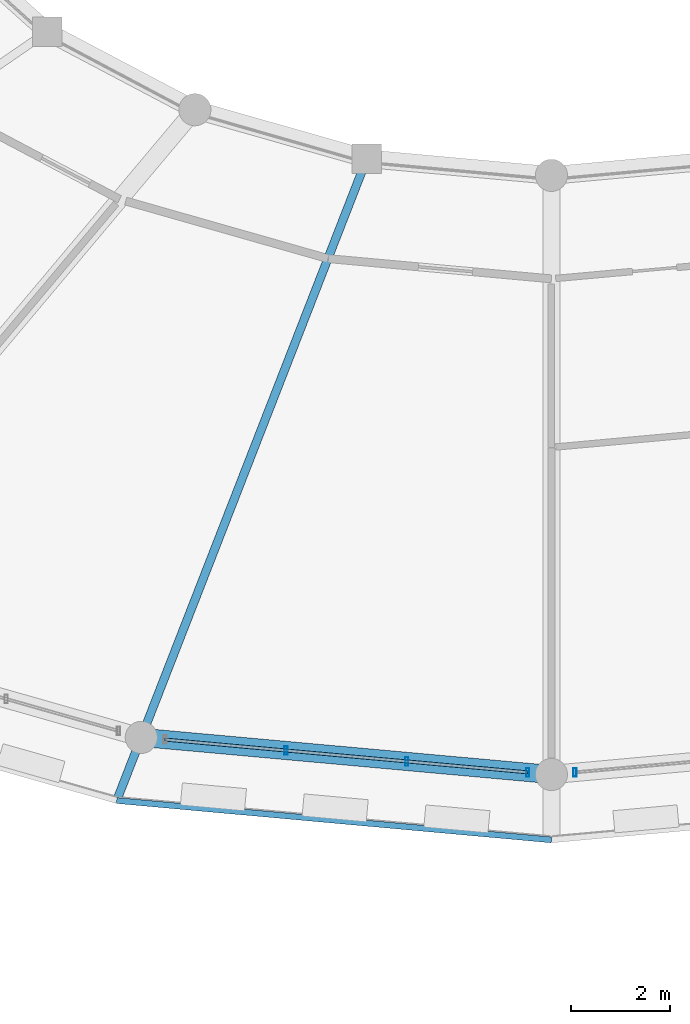
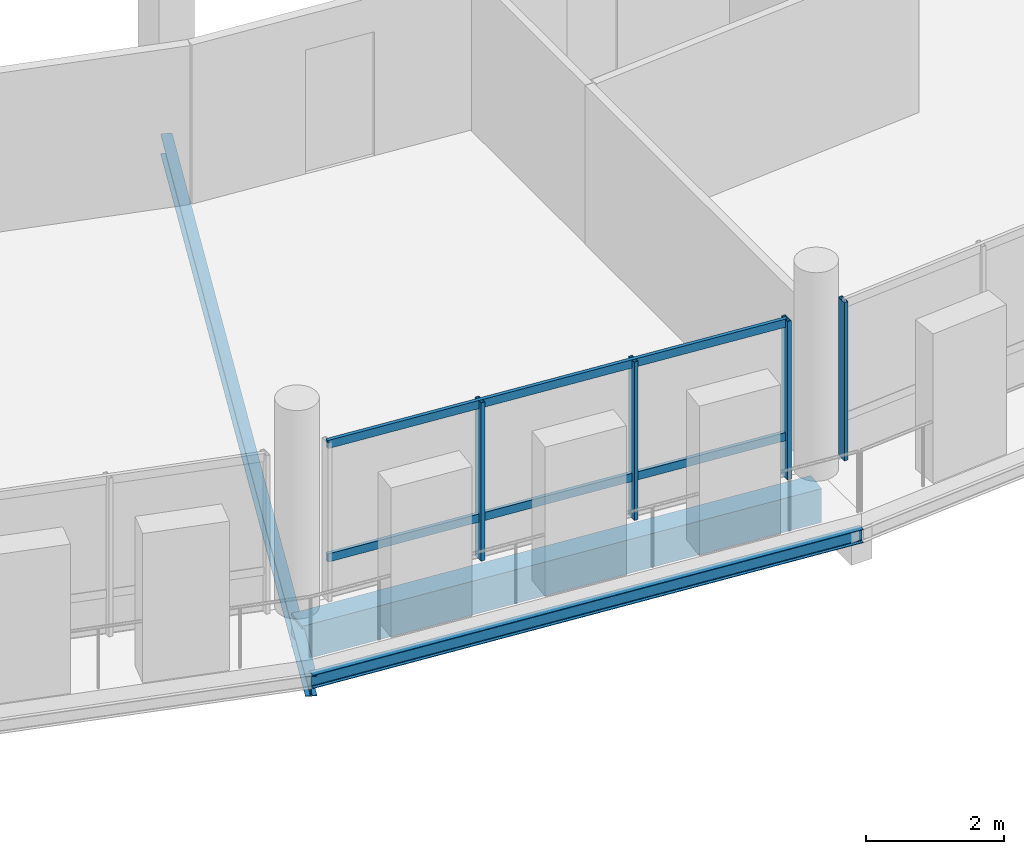
# One storey, part 27 of 84: 6 members, 3 beams, 2 elements without a shape of their own.
"""IFC4 building model written with IfcOpenShell, lengths in metres."""

from ifc_helpers import new_model, si_unit, direction, frame, origin, origin_2d, place, context, subcontext, project, spatial, rectangle, hollow_rectangle, i_section, extrude, material, material_profile, profile_set, type_object, element, aggregate, save


model = new_model("IFC4")

# Units and contexts
model_context = context("Model", 3, precision=1e-05, world=origin(), true_north=direction((0.0, 1.0)))
body_context = subcontext(model_context, "Body", "Model", "MODEL_VIEW")
ifc_project = project(units=[si_unit("LENGTHUNIT", "METRE"), si_unit("AREAUNIT", "SQUARE_METRE"), si_unit("VOLUMEUNIT", "CUBIC_METRE"), si_unit("PLANEANGLEUNIT", "RADIAN"), si_unit("MASSUNIT", "GRAM", prefix="KILO")], contexts=[model_context])

# Site, building, storey
site_placement = place(None, origin())
site = spatial("IfcSite", under=ifc_project, at=site_placement, CompositionType="ELEMENT")
building_placement = place(site_placement, origin())
building = spatial("IfcBuilding", under=site, at=building_placement, Name="Zornivar Specialist Clinic", CompositionType="ELEMENT")
storey_placement = place(building_placement, frame((0.0, 0.0, 12.300048828125)))
storey = spatial("IfcBuildingStorey", under=building, at=storey_placement, Name="L03", CompositionType="ELEMENT", Elevation=12.300048828125)

# Beams
ifc_material_1 = material(Name="Concrete C30/37", Category="concrete")
ifc_material_profile_1 = material_profile(ifc_material_1, rectangle(XDim=0.3701171875, YDim=0.60009765625, at=origin_2d()), Name="RC 370x600")
ifc_profile_set_1 = profile_set([ifc_material_profile_1], Name="Concrete C30/37")
beam_type_1 = type_object("IfcBeamType", Name="BM-RC-SPANDREL-370x600", PredefinedType="SPANDREL", material=ifc_profile_set_1)
beam_1_placement = place(storey_placement, frame((85.318115234375, 36.35009765625, -0.5400390625), z_axis=(0.99592467027, -0.09018897465, 0.0), x_axis=(0.09018897465, 0.99592467027, 0.0)))
element("IfcBeam", 1, at=beam_1_placement, inside=storey, type_object=beam_type_1, Name="bm:V1:L03:outring:17", PredefinedType="SPANDREL", context=body_context, shape_type="SweptSolid", body=[
    extrude(rectangle(XDim=0.3701171875, YDim=0.60009765625, at=origin_2d()), origin(), (0.0, 0.0, 1.0), 8.31591796875),
])
ifc_material_2 = material(Name="Steel S355J2", Category="steel")
ifc_material_profile_2 = material_profile(ifc_material_2, i_section(OverallWidth=0.1201171875, OverallDepth=0.239990234375, WebThickness=0.006103515625, FlangeThickness=0.009765625, FilletRadius=0.014892578125, at=origin_2d()), Name="IPE 240")
ifc_profile_set_2 = profile_set([ifc_material_profile_2], Name="Steel S355J2")
beam_type_2 = type_object("IfcBeamType", Name="BM-STL-IPE240", PredefinedType="JOIST", material=ifc_profile_set_2)
beam_2_placement = place(storey_placement, frame((84.821044921875, 35.074951171875, -0.360107421875), z_axis=(0.995925605957, -0.090178641592, 0.0), x_axis=(0.090178641592, 0.995925605957, 0.0)))
element("IfcBeam", 2, at=beam_2_placement, inside=storey, type_object=beam_type_2, Name="bm:V1:L03:balring:17", PredefinedType="JOIST", context=body_context, shape_type="SweptSolid", body=[
    extrude(i_section(OverallWidth=0.1201171875, OverallDepth=0.239990234375, WebThickness=0.006103515625, FlangeThickness=0.009765625, FilletRadius=0.014892578125, at=origin_2d()), origin(), (0.0, 0.0, 1.0), 8.81494140625),
])
ifc_material_3 = material(Name="Steel S355J2", Category="steel")
ifc_material_profile_3 = material_profile(ifc_material_3, i_section(OverallWidth=0.169921875, OverallDepth=0.360107421875, WebThickness=0.008056640625, FlangeThickness=0.0126953125, FilletRadius=0.01806640625, at=origin_2d()), Name="IPE 360")
ifc_profile_set_3 = profile_set([ifc_material_profile_3], Name="Steel S355J2")
beam_type_3 = type_object("IfcBeamType", Name="BM-STL-IPE360", PredefinedType="BEAM", material=ifc_profile_set_3)
beam_3_placement = place(storey_placement, frame((89.873046875, 48.037109375, -0.469970703125), z_axis=(-0.363143135914, -0.931733364669, 0.0), x_axis=(0.931733364669, -0.363143135914, 0.0)))
element("IfcBeam", 3, at=beam_3_placement, inside=storey, type_object=beam_type_3, Name="bm:V1:L03:radmid:17", PredefinedType="BEAM", context=body_context, shape_type="SweptSolid", body=[
    extrude(i_section(OverallWidth=0.169921875, OverallDepth=0.360107421875, WebThickness=0.008056640625, FlangeThickness=0.0126953125, FilletRadius=0.01806640625, at=origin_2d()), origin(), (0.0, 0.0, 1.0), 13.911865234375),
])

# Curtain wall, members
ifc_material_4 = material(Name="Aluminium and Low-E Glass Curtain Wall", Category="aluminium")
curtain_wall_type = type_object("IfcCurtainWallType", Name="CW-DRUM-FACET", PredefinedType="NOTDEFINED", material=ifc_material_4)
curtain_wall_1_placement = place(storey_placement, origin())
curtain_wall_1 = element("IfcCurtainWall", 4, at=curtain_wall_1_placement, inside=storey, type_object=curtain_wall_type, Name="cw:V1:L03:c17", PredefinedType="NOTDEFINED")
ifc_material_5 = material(Name="Aluminium AW-6060", Category="aluminium")
ifc_material_profile_4 = material_profile(ifc_material_5, hollow_rectangle(XDim=0.06494140625, YDim=0.175048828125, WallThickness=0.00439453125, at=origin_2d()), Name="ALU 65x175x4.5")
ifc_profile_set_4 = profile_set([ifc_material_profile_4], Name="Aluminium AW-6060")
member_type_1 = type_object("IfcMemberType", Name="CWM-MUL-175", PredefinedType="MULLION", material=ifc_profile_set_4)
member_1_placement = place(storey_placement, frame((88.238037109375, 36.0849609375, 0.0), z_axis=(0.0, 0.0, 1.0), x_axis=(1.0, 0.0, 0.0)))
member_1 = element("IfcMember", 5, at=member_1_placement, type_object=member_type_1, Name="cw:V1:L03:c17:mul:1", PredefinedType="MULLION", context=body_context, shape_type="SweptSolid", body=[
    extrude(hollow_rectangle(XDim=0.06494140625, YDim=0.175048828125, WallThickness=0.00439453125, at=origin_2d()), origin(), (0.0, 0.0, 1.0), 2.81005859375),
])
member_2_placement = place(storey_placement, frame((90.679931640625, 35.864013671875, 0.0), z_axis=(0.0, 0.0, 1.0), x_axis=(1.0, 0.0, 0.0)))
member_2 = element("IfcMember", 6, at=member_2_placement, type_object=member_type_1, Name="cw:V1:L03:c17:mul:2", PredefinedType="MULLION", context=body_context, shape_type="SweptSolid", body=[
    extrude(hollow_rectangle(XDim=0.06494140625, YDim=0.175048828125, WallThickness=0.00439453125, at=origin_2d()), origin(), (0.0, 0.0, 1.0), 2.81005859375),
])
member_3_placement = place(storey_placement, frame((93.1220703125, 35.64306640625, 0.0), z_axis=(0.0, 0.0, 1.0), x_axis=(1.0, 0.0, 0.0)))
member_3 = element("IfcMember", 7, at=member_3_placement, type_object=member_type_1, Name="cw:V1:L03:c17:mul:3", PredefinedType="MULLION", context=body_context, shape_type="SweptSolid", body=[
    extrude(hollow_rectangle(XDim=0.06494140625, YDim=0.175048828125, WallThickness=0.00439453125, at=origin_2d()), origin(), (0.0, 0.0, 1.0), 2.81005859375),
])

# Curtain wall, member
curtain_wall_2_placement = place(storey_placement, origin())
curtain_wall_2 = element("IfcCurtainWall", 8, at=curtain_wall_2_placement, inside=storey, type_object=curtain_wall_type, Name="cw:V1:L03:c18", PredefinedType="NOTDEFINED")
member_4_placement = place(storey_placement, frame((94.077880859375, 35.64404296875, 0.0), z_axis=(0.0, 0.0, 1.0), x_axis=(1.0, 0.0, 0.0)))
member_4 = element("IfcMember", 9, at=member_4_placement, type_object=member_type_1, Name="cw:V1:L03:c18:mul:0", PredefinedType="MULLION", context=body_context, shape_type="SweptSolid", body=[
    extrude(hollow_rectangle(XDim=0.06494140625, YDim=0.175048828125, WallThickness=0.00439453125, at=origin_2d()), origin(), (0.0, 0.0, 1.0), 2.81005859375),
])
aggregate(curtain_wall_2, [member_4])

# Member
ifc_material_6 = material(Name="Aluminium AW-6060", Category="aluminium")
ifc_material_profile_5 = material_profile(ifc_material_6, hollow_rectangle(XDim=0.06005859375, YDim=0.14501953125, WallThickness=0.00390625, at=origin_2d()), Name="ALU 60x145x4")
ifc_profile_set_5 = profile_set([ifc_material_profile_5], Name="Aluminium AW-6060")
member_type_2 = type_object("IfcMemberType", Name="CWM-TRN-145", PredefinedType="USERDEFINED", material=ifc_profile_set_5)
member_5_placement = place(storey_placement, frame((85.7958984375, 36.305908203125, 0.73095703125), z_axis=(0.995943921343, -0.089976138722, 0.0), x_axis=(0.089976138722, 0.995943921343, 0.0)))
member_5 = element("IfcMember", 10, at=member_5_placement, type_object=member_type_2, Name="cw:V1:L03:c17:trn:0", ObjectType="TRANSOM", PredefinedType="USERDEFINED", context=body_context, shape_type="SweptSolid", body=[
    extrude(hollow_rectangle(XDim=0.06005859375, YDim=0.14501953125, WallThickness=0.00390625, at=origin_2d()), origin(), (0.0, 0.0, 1.0), 7.35595703125),
])

member_6_placement = place(storey_placement, frame((85.7958984375, 36.305908203125, 2.744873046875), z_axis=(0.995943921343, -0.089976138722, 0.0), x_axis=(0.089976138722, 0.995943921343, 0.0)))
member_6 = element("IfcMember", 11, at=member_6_placement, type_object=member_type_2, Name="cw:V1:L03:c17:trn:1", ObjectType="TRANSOM", PredefinedType="USERDEFINED", context=body_context, shape_type="SweptSolid", body=[
    extrude(hollow_rectangle(XDim=0.06005859375, YDim=0.14501953125, WallThickness=0.00390625, at=origin_2d()), origin(), (0.0, 0.0, 1.0), 7.35595703125),
])

aggregate(curtain_wall_1, [member_1, member_2, member_3, member_5, member_6])

save(model, "model.ifc")
